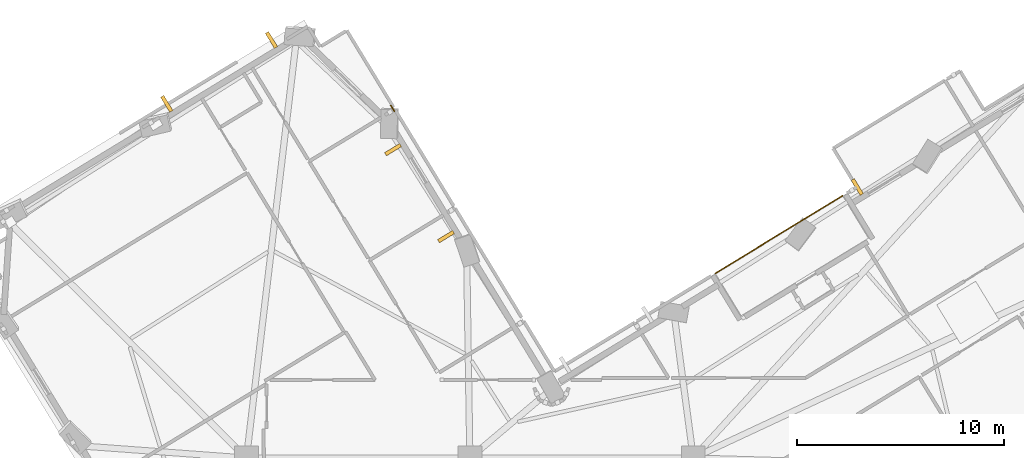
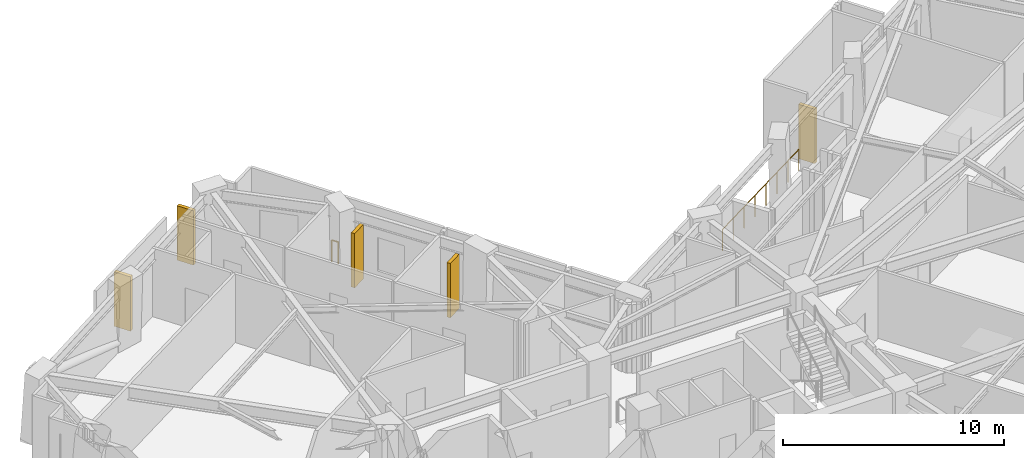
# One storey, part 13 of 14: 5 shading devices, 2 railings.
"""IFC4 building model written with IfcOpenShell, lengths in metres."""

from ifc_helpers import new_model, si_unit, direction, frame, origin, origin_2d, place, context, subcontext, project, spatial, rectangle, circle, extrude, material, layer, layer_set, type_object, element, save


model = new_model("IFC4")

# Units and contexts
model_context = context("Model", 3, precision=1e-05, world=origin(), true_north=direction((0.0, 1.0)))
body_context = subcontext(model_context, "Body", "Model", "MODEL_VIEW")
ifc_project = project(units=[si_unit("LENGTHUNIT", "METRE"), si_unit("AREAUNIT", "SQUARE_METRE"), si_unit("VOLUMEUNIT", "CUBIC_METRE"), si_unit("PLANEANGLEUNIT", "RADIAN"), si_unit("MASSUNIT", "GRAM", prefix="KILO")], contexts=[model_context])

# Site, building, storey
site_placement = place(None, origin())
site = spatial("IfcSite", under=ifc_project, at=site_placement, CompositionType="ELEMENT")
building_placement = place(site_placement, origin())
building = spatial("IfcBuilding", under=site, at=building_placement, Name="Gaonmaruhae Medical Tower", CompositionType="ELEMENT")
storey_placement = place(building_placement, frame((0.0, 0.0, 157.800048828125)))
storey = spatial("IfcBuildingStorey", under=building, at=storey_placement, Name="L37", CompositionType="ELEMENT", Elevation=157.800048828125)

# Railings
ifc_material_1 = material(Name="Stainless steel 316L and laminated safety glass", Category="steel")
ifc_layer = layer(ifc_material_1, 0.080078125)
ifc_layer_set = layer_set([ifc_layer], Name="Stainless steel 316L and laminated safety glass")
railing_type = type_object("IfcRailingType", Name="GD-120 Outdoor Terrace Safety Glass & Steel Balustrade", PredefinedType="BALUSTRADE", material=ifc_layer_set)
railing_1_placement = place(storey_placement, frame((42.817626953125, 29.478515625, 0.0)))
element("IfcRailing", 1, at=railing_1_placement, inside=storey, type_object=railing_type, Name="L37 Terrace Safety Guard RL-SLB-L37-TER-03", PredefinedType="BALUSTRADE", context=body_context, shape_type="SweptSolid", body=[
    extrude(circle(Radius=0.02392578125, at=origin_2d()), frame((0.0, 0.0, 1.17578125), z_axis=(-0.854011888581, -0.520253490292, 0.0), x_axis=(0.520253490292, -0.854011888581, 0.0)), (0.0, 0.0, 1.0), 7.199951171875),
    extrude(circle(Radius=0.02099609375, at=origin_2d()), origin(), (0.0, 0.0, 1.0), 1.15185546875),
    extrude(circle(Radius=0.02099609375, at=origin_2d()), frame((-0.87841796875, -0.53515625, 0.0)), (0.0, 0.0, 1.0), 1.15185546875),
    extrude(circle(Radius=0.02099609375, at=origin_2d()), frame((-1.7568359375, -1.0703125, 0.0)), (0.0, 0.0, 1.0), 1.15185546875),
    extrude(circle(Radius=0.02099609375, at=origin_2d()), frame((-2.63525390625, -1.60546875, 0.0)), (0.0, 0.0, 1.0), 1.15185546875),
    extrude(circle(Radius=0.02099609375, at=origin_2d()), frame((-3.513671875, -2.140380859375, 0.0)), (0.0, 0.0, 1.0), 1.15185546875),
    extrude(circle(Radius=0.02099609375, at=origin_2d()), frame((-4.39208984375, -2.675537109375, 0.0)), (0.0, 0.0, 1.0), 1.15185546875),
    extrude(circle(Radius=0.02099609375, at=origin_2d()), frame((-5.2705078125, -3.210693359375, 0.0)), (0.0, 0.0, 1.0), 1.15185546875),
    extrude(circle(Radius=0.02099609375, at=origin_2d()), frame((-6.14892578125, -3.745849609375, 0.0)), (0.0, 0.0, 1.0), 1.15185546875),
])
railing_2_placement = place(storey_placement, frame((20.981201171875, 33.8466796875, 0.0)))
element("IfcRailing", 2, at=railing_2_placement, inside=storey, type_object=railing_type, Name="L37 Perimeter Slab Edge Safety Balustrade 09", PredefinedType="BALUSTRADE", context=body_context, shape_type="SweptSolid", body=[
    extrude(circle(Radius=0.02392578125, at=origin_2d()), frame((0.0, 0.0, 1.17578125), z_axis=(0.51978684272, -0.854295989769, 0.0), x_axis=(0.854295989769, 0.51978684272, 0.0)), (0.0, 0.0, 1.0), 0.338623046875),
    extrude(circle(Radius=0.02099609375, at=origin_2d()), origin(), (0.0, 0.0, 1.0), 1.15185546875),
    extrude(circle(Radius=0.02099609375, at=origin_2d()), frame((0.176025390625, -0.289306640625, 0.0)), (0.0, 0.0, 1.0), 1.15185546875),
])

# Shading devices
ifc_material_2 = material(Name="Pigmented coral precast concrete C45/55", Category="concrete")
shading_device_type = type_object("IfcShadingDeviceType", Name="SD-FIN1 Tower Vertical Coral Precast Shading Fin", PredefinedType="USERDEFINED", material=ifc_material_2)
for number, where, z_axis, x_axis, name in (
    (3, (43.529052734375, 29.90625, 0.072509765625), (0.0, 0.0, 1.0), (0.853996058425, 0.520279475084, 0.0), "L37 Vertical Coral Precast Shading Fin EN01"),
    (4, (23.644775390625, 27.504150390625, 0.08251953125), (0.0, 0.0, 1.0), (-0.520249664681, 0.854014219085, 0.0), "L37 Vertical Coral Precast Shading Fin NE01"),
    (5, (21.08349609375, 31.708251953125, 0.08251953125), (0.0, 0.0, 1.0), (-0.520249664681, 0.854014219085, 0.0), "L37 Vertical Coral Precast Shading Fin NE01B"),
    (6, (10.145751953125, 33.9248046875, 0.08251953125), (0.0, 0.0, 1.0), (0.854005138885, 0.520264569962, 0.0), "L37 Vertical Coral Precast Shading Fin N01"),
    (7, (15.21044921875, 37.01025390625, 0.08251953125), (0.0, 0.0, 1.0), (0.854005138885, 0.520264569962, 0.0), "L37 Vertical Coral Precast Shading Fin N01B"),
):
    element("IfcShadingDevice", number, at=place(storey_placement, frame(where, z_axis=z_axis, x_axis=x_axis)), inside=storey, type_object=shading_device_type, Name=name, ObjectType="FIN", PredefinedType="USERDEFINED", context=body_context, shape_type="SweptSolid", body=[
        extrude(rectangle(XDim=0.179931640625, YDim=0.85009765625, at=origin_2d()), origin(), (0.0, 0.0, 1.0), 3.0),
    ])

save(model, "model.ifc")
